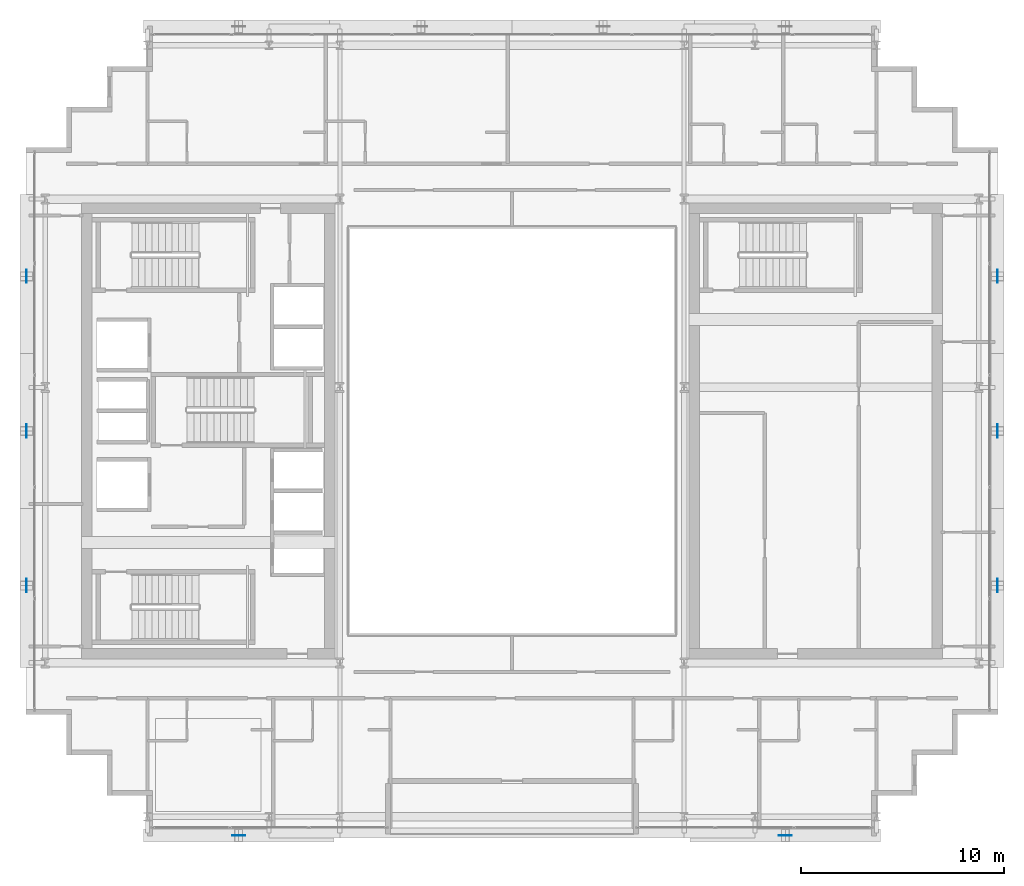
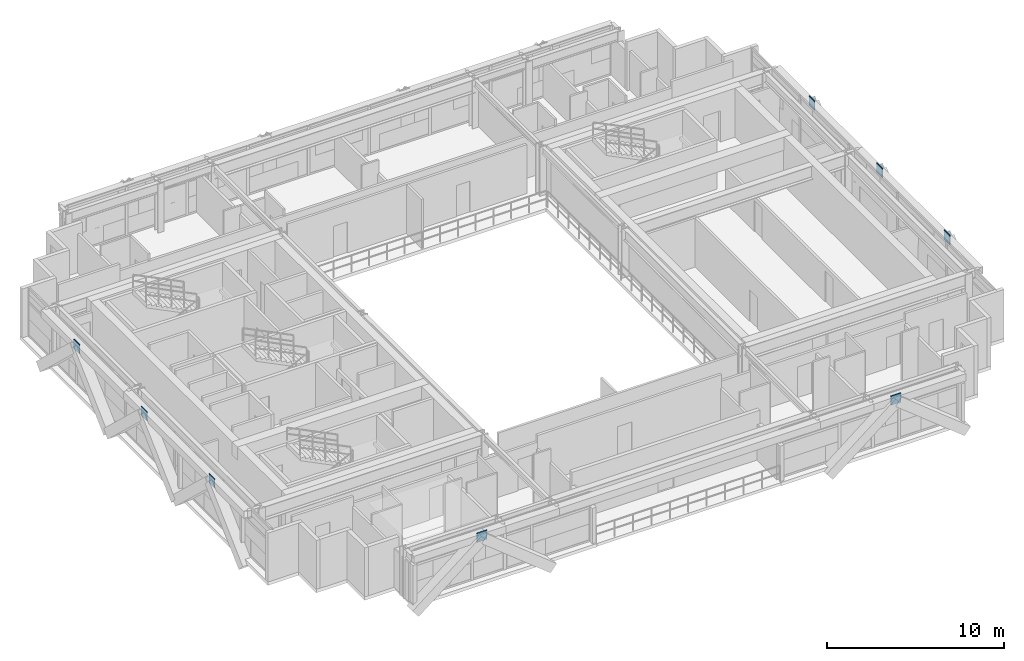
# One storey, part 22 of 31: 8 plates.
"""IFC4 building model written with IfcOpenShell, lengths in metres."""

from ifc_helpers import new_model, si_unit, direction, frame, origin, origin_2d, place, context, subcontext, project, spatial, rectangle, extrude, source, transform, mapped, material, layer, layer_set, type_object, element, save


model = new_model("IFC4")

# Units and contexts
model_context = context("Model", 3, precision=1e-05, world=origin(), true_north=direction((0.0, 1.0)))
body_context = subcontext(model_context, "Body", "Model", "MODEL_VIEW")
ifc_project = project(units=[si_unit("LENGTHUNIT", "METRE"), si_unit("AREAUNIT", "SQUARE_METRE"), si_unit("VOLUMEUNIT", "CUBIC_METRE"), si_unit("PLANEANGLEUNIT", "RADIAN"), si_unit("MASSUNIT", "GRAM", prefix="KILO")], contexts=[model_context])

# Site, building, storey
site_placement = place(None, origin())
site = spatial("IfcSite", under=ifc_project, at=site_placement, CompositionType="ELEMENT")
building_placement = place(site_placement, origin())
building = spatial("IfcBuilding", under=site, at=building_placement, Name="Ocotamira Hotel", CompositionType="ELEMENT")
storey_placement = place(building_placement, frame((0.0, 0.0, 181.199951171875)))
storey = spatial("IfcBuildingStorey", under=building, at=storey_placement, Name="L45", CompositionType="ELEMENT", Elevation=181.199951171875)

# Plates
ifc_material = material(Name="Pale-metal coated steel ASTM A572 Grade 50", Category="steel")
ifc_layer = layer(ifc_material, 0.0400390625)
ifc_layer_set = layer_set([ifc_layer], Name="Pale-metal coated steel ASTM A572 Grade 50")
plate_type = type_object("IfcPlateType", Name="PLT-GUSSET-40", PredefinedType="SHEET", material=ifc_layer_set)
shared_shape_1 = source(origin(), body_context, "Body", "SweptSolid", [
    extrude(rectangle(XDim=0.64990234375, YDim=0.0400390625, at=origin_2d()), origin(), (0.0, 0.0, 1.0), 0.64990234375),
])
for number, where, z_axis, x_axis, name in (
    (1, (18.5, 6.030029296875, 2.795166015625), (0.0, 0.0, 1.0), (1.0, 0.0, 0.0), "L45 Exoskeleton Diagrid S0.1 End Gusset B"),
    (2, (45.5, 6.030029296875, 2.795166015625), (0.0, 0.0, 1.0), (1.0, 0.0, 0.0), "L45 Exoskeleton Diagrid S3.1 End Gusset B"),
):
    element("IfcPlate", number, at=place(storey_placement, frame(where, z_axis=z_axis, x_axis=x_axis)), inside=storey, type_object=plate_type, Name=name, PredefinedType="SHEET", context=body_context, shape_type="MappedRepresentation", body=[
        mapped(shared_shape_1, transform((0.0, 0.0, 0.0), scale=1.0)),
    ])
shared_shape_2 = source(origin(), body_context, "Body", "SweptSolid", [
    extrude(rectangle(XDim=0.0400390625, YDim=0.64990234375, at=origin_2d()), origin(), (0.0, 0.0, 1.0), 0.64990234375),
])
for number, where, z_axis, x_axis, name in (
    (3, (8.030029296875, 18.36669921875, 2.795166015625), (0.0, 0.0, 1.0), (1.0, 0.0, 0.0), "L45 Exoskeleton Diagrid W0.1 End Gusset B"),
    (4, (8.030029296875, 26.0, 2.795166015625), (0.0, 0.0, 1.0), (1.0, 0.0, 0.0), "L45 Exoskeleton Diagrid W1.1 End Gusset B"),
    (5, (8.030029296875, 33.63330078125, 2.795166015625), (0.0, 0.0, 1.0), (1.0, 0.0, 0.0), "L45 Exoskeleton Diagrid W2.1 End Gusset B"),
    (6, (55.969970703125, 18.36669921875, 2.795166015625), (0.0, 0.0, 1.0), (1.0, 0.0, 0.0), "L45 Exoskeleton Diagrid E0.1 End Gusset B"),
    (7, (55.969970703125, 26.0, 2.795166015625), (0.0, 0.0, 1.0), (1.0, 0.0, 0.0), "L45 Exoskeleton Diagrid E1.1 End Gusset B"),
    (8, (55.969970703125, 33.63330078125, 2.795166015625), (0.0, 0.0, 1.0), (1.0, 0.0, 0.0), "L45 Exoskeleton Diagrid E2.1 End Gusset B"),
):
    element("IfcPlate", number, at=place(storey_placement, frame(where, z_axis=z_axis, x_axis=x_axis)), inside=storey, type_object=plate_type, Name=name, PredefinedType="SHEET", context=body_context, shape_type="MappedRepresentation", body=[
        mapped(shared_shape_2, transform((0.0, 0.0, 0.0), scale=1.0)),
    ])

save(model, "model.ifc")
